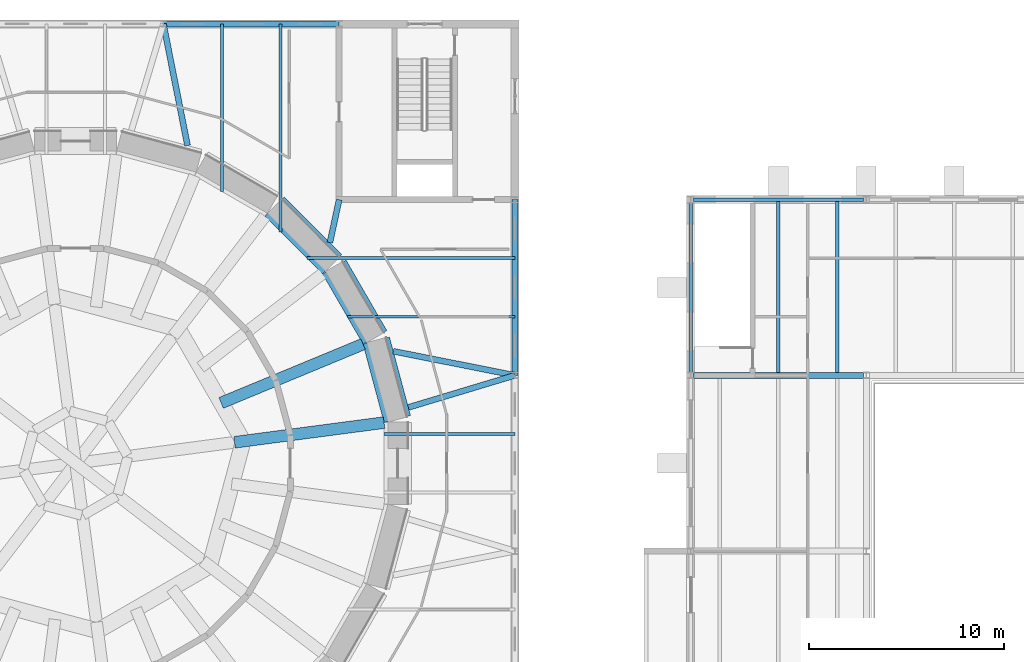
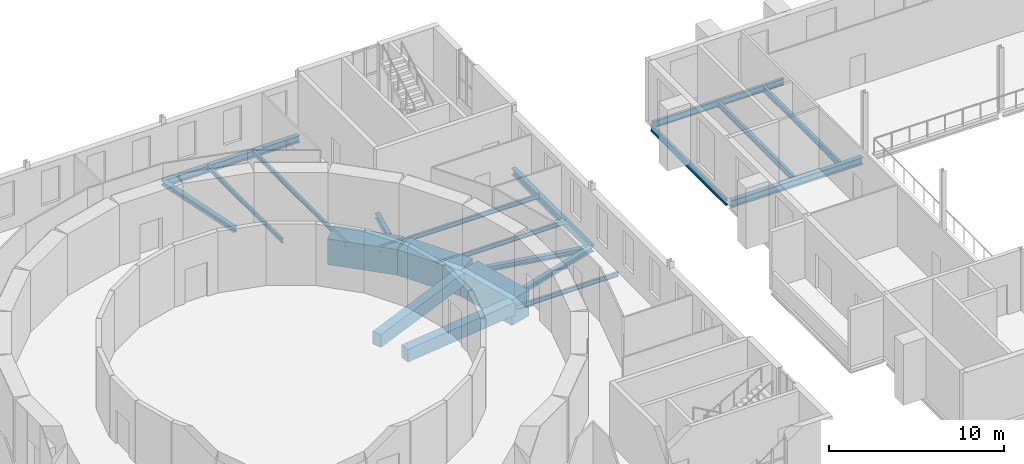
# One storey, part 54 of 131: 21 beams.
"""IFC4 building model written with IfcOpenShell, lengths in metres."""

from ifc_helpers import new_model, si_unit, direction, frame, origin, origin_2d, place, context, subcontext, project, spatial, rectangle, i_section, extrude, material, material_profile, profile_set, type_object, element, save


model = new_model("IFC4")

# Units and contexts
model_context = context("Model", 3, precision=1e-05, world=origin(), true_north=direction((0.0, 1.0)))
body_context = subcontext(model_context, "Body", "Model", "MODEL_VIEW")
ifc_project = project(units=[si_unit("LENGTHUNIT", "METRE"), si_unit("AREAUNIT", "SQUARE_METRE"), si_unit("VOLUMEUNIT", "CUBIC_METRE"), si_unit("PLANEANGLEUNIT", "RADIAN"), si_unit("MASSUNIT", "GRAM", prefix="KILO")], contexts=[model_context])

# Site, building, storey
site_placement = place(None, origin())
site = spatial("IfcSite", under=ifc_project, at=site_placement, CompositionType="ELEMENT")
building_placement = place(site_placement, origin())
building = spatial("IfcBuilding", under=site, at=building_placement, Name="Golden Quay Civic Hall", CompositionType="ELEMENT")
storey_placement = place(building_placement, frame((0.0, 0.0, 9.89990234375)))
storey = spatial("IfcBuildingStorey", under=building, at=storey_placement, Name="L02", CompositionType="ELEMENT", Elevation=9.89990234375)

# Beams
ifc_material_1 = material(Name="Concrete C40/50", Category="concrete")
ifc_material_profile_1 = material_profile(ifc_material_1, rectangle(XDim=0.60009765625, YDim=0.89990234375, at=origin_2d()), Name="RC 600x900")
ifc_profile_set_1 = profile_set([ifc_material_profile_1], Name="Concrete C40/50")
beam_type_1 = type_object("IfcBeamType", Name="Reinforced concrete radial beam 600x900", PredefinedType="BEAM", material=ifc_profile_set_1)
beam_1_placement = place(storey_placement, frame((93.638916015625, 86.571533203125, -0.64990234375), z_axis=(0.991445905484, 0.130518261171, 0.0), x_axis=(-0.130518261171, 0.991445905484, 0.0)))
element("IfcBeam", 1, at=beam_1_placement, inside=storey, type_object=beam_type_1, Name="Chamber floor radial beam 1", PredefinedType="BEAM", context=body_context, shape_type="SweptSolid", body=[
    extrude(rectangle(XDim=0.60009765625, YDim=0.89990234375, at=origin_2d()), origin(), (0.0, 0.0, 1.0), 7.727294921875),
])
beam_2_placement = place(storey_placement, frame((92.954833984375, 88.587890625, -0.64990234375), z_axis=(0.923874616726, 0.382695299905, 0.0), x_axis=(-0.382695299905, 0.923874616726, 0.0)))
element("IfcBeam", 2, at=beam_2_placement, inside=storey, type_object=beam_type_1, Name="Chamber floor radial beam 2", PredefinedType="BEAM", context=body_context, shape_type="SweptSolid", body=[
    extrude(rectangle(XDim=0.60009765625, YDim=0.89990234375, at=origin_2d()), origin(), (0.0, 0.0, 1.0), 7.8671875),
])
ifc_material_2 = material(Name="Concrete C40/50", Category="concrete")
ifc_material_profile_2 = material_profile(ifc_material_2, rectangle(XDim=1.39990234375, YDim=1.800048828125, at=origin_2d()), Name="RC 1400x1800")
ifc_profile_set_2 = profile_set([ifc_material_profile_2], Name="Concrete C40/50")
beam_type_2 = type_object("IfcBeamType", Name="Reinforced concrete ring beam 1400x1800", PredefinedType="BEAM", material=ifc_profile_set_2)
for number, where, z_axis, x_axis, name in (
    (3, (101.97607421875, 87.76123046875, -1.099853515625), (-0.258794750904, 0.965932335573, 0.0), (-0.965932335573, -0.258794750904, 0.0), "Chamber ring beam segment 1"),
    (4, (100.82958984375, 91.948486328125, -1.099853515625), (-0.500020452843, 0.866013595008, 0.0), (-0.866013595008, -0.500020452843, 0.0), "Chamber ring beam segment 2"),
    (5, (98.63818359375, 95.6962890625, -1.099853515625), (-0.707106781187, 0.707106781187, 0.0), (-0.707106781187, -0.707106781187, 0.0), "Chamber ring beam segment 3"),
):
    element("IfcBeam", number, at=place(storey_placement, frame(where, z_axis=z_axis, x_axis=x_axis)), inside=storey, type_object=beam_type_2, Name=name, PredefinedType="BEAM", context=body_context, shape_type="SweptSolid", body=[
        extrude(rectangle(XDim=1.39990234375, YDim=1.800048828125, at=origin_2d()), origin(), (0.0, 0.0, 1.0), 4.160400390625),
    ])
ifc_material_3 = material(Name="Steel S355", Category="steel")
ifc_material_profile_3 = material_profile(ifc_material_3, i_section(OverallWidth=0.18994140625, OverallDepth=0.449951171875, WebThickness=0.009521484375, FlangeThickness=0.0146484375, FilletRadius=0.02099609375, at=origin_2d()), Name="IPE 450")
ifc_profile_set_3 = profile_set([ifc_material_profile_3], Name="Steel S355")
beam_type_3 = type_object("IfcBeamType", Name="Steel edge beam IPE 450", PredefinedType="BEAM", material=ifc_profile_set_3)
beam_3_placement = place(storey_placement, frame((117.14990234375, 99.0, -0.4248046875), z_axis=(1.0, 0.0, 0.0), x_axis=(0.0, 1.0, 0.0)))
element("IfcBeam", 6, at=beam_3_placement, inside=storey, type_object=beam_type_3, Name="L02 edge beam 36-1", PredefinedType="BEAM", context=body_context, shape_type="SweptSolid", body=[
    extrude(i_section(OverallWidth=0.18994140625, OverallDepth=0.449951171875, WebThickness=0.009521484375, FlangeThickness=0.0146484375, FilletRadius=0.02099609375, at=origin_2d()), origin(), (0.0, 0.0, 1.0), 8.7001953125),
])
beam_4_placement = place(storey_placement, frame((117.0, 90.14990234375, -0.4248046875), z_axis=(0.0, 1.0, 0.0), x_axis=(-1.0, 0.0, 0.0)))
element("IfcBeam", 7, at=beam_4_placement, inside=storey, type_object=beam_type_3, Name="L02 edge beam u0-4", PredefinedType="BEAM", context=body_context, shape_type="SweptSolid", body=[
    extrude(i_section(OverallWidth=0.18994140625, OverallDepth=0.449951171875, WebThickness=0.009521484375, FlangeThickness=0.0146484375, FilletRadius=0.02099609375, at=origin_2d()), origin(), (0.0, 0.0, 1.0), 8.670166015625),
])
ifc_material_4 = material(Name="Steel S355", Category="steel")
ifc_material_profile_4 = material_profile(ifc_material_4, i_section(OverallWidth=0.300048828125, OverallDepth=0.330078125, WebThickness=0.009521484375, FlangeThickness=0.0166015625, FilletRadius=0.027099609375, at=origin_2d()), Name="HEA 340")
ifc_profile_set_4 = profile_set([ifc_material_profile_4], Name="Steel S355")
beam_type_4 = type_object("IfcBeamType", Name="Steel girder HEA 340", PredefinedType="BEAM", material=ifc_profile_set_4)
beam_5_placement = place(storey_placement, frame((90.0, 108.0, -0.364990234375), z_axis=(0.194326754683, -0.980936854448, 0.0), x_axis=(0.980936854448, 0.194326754683, 0.0)))
element("IfcBeam", 8, at=beam_5_placement, inside=storey, type_object=beam_type_4, Name="Radial girder 8", PredefinedType="BEAM", context=body_context, shape_type="SweptSolid", body=[
    extrude(i_section(OverallWidth=0.300048828125, OverallDepth=0.330078125, WebThickness=0.009521484375, FlangeThickness=0.0166015625, FilletRadius=0.027099609375, at=origin_2d()), origin(), (0.0, 0.0, 1.0), 6.350830078125),
])
beam_6_placement = place(storey_placement, frame((108.0, 90.0, -0.364990234375), z_axis=(-0.957574849663, -0.288184675673, 0.0), x_axis=(0.288184675673, -0.957574849663, 0.0)))
element("IfcBeam", 9, at=beam_6_placement, inside=storey, type_object=beam_type_4, Name="Radial girder 15", PredefinedType="BEAM", context=body_context, shape_type="SweptSolid", body=[
    extrude(i_section(OverallWidth=0.300048828125, OverallDepth=0.330078125, WebThickness=0.009521484375, FlangeThickness=0.0166015625, FilletRadius=0.027099609375, at=origin_2d()), origin(), (0.0, 0.0, 1.0), 5.70068359375),
])
beam_7_placement = place(storey_placement, frame((108.0, 90.0, -0.364990234375), z_axis=(-0.980936854448, 0.194326754683, 0.0), x_axis=(-0.194326754683, -0.980936854448, 0.0)))
element("IfcBeam", 10, at=beam_7_placement, inside=storey, type_object=beam_type_4, Name="Radial girder 16", PredefinedType="BEAM", context=body_context, shape_type="SweptSolid", body=[
    extrude(i_section(OverallWidth=0.300048828125, OverallDepth=0.330078125, WebThickness=0.009521484375, FlangeThickness=0.0166015625, FilletRadius=0.027099609375, at=origin_2d()), origin(), (0.0, 0.0, 1.0), 6.350830078125),
])
beam_8_placement = place(storey_placement, frame((99.0, 99.0, -0.364990234375), z_axis=(-0.210795207635, -0.977530245281, 0.0), x_axis=(0.977530245281, -0.210795207635, 0.0)))
element("IfcBeam", 11, at=beam_8_placement, inside=storey, type_object=beam_type_4, Name="Radial girder 20", PredefinedType="BEAM", context=body_context, shape_type="SweptSolid", body=[
    extrude(i_section(OverallWidth=0.300048828125, OverallDepth=0.330078125, WebThickness=0.009521484375, FlangeThickness=0.0166015625, FilletRadius=0.027099609375, at=origin_2d()), origin(), (0.0, 0.0, 1.0), 2.25146484375),
])
ifc_material_5 = material(Name="Steel S355", Category="steel")
ifc_material_profile_5 = material_profile(ifc_material_5, i_section(OverallWidth=0.300048828125, OverallDepth=0.489990234375, WebThickness=0.011962890625, FlangeThickness=0.02294921875, FilletRadius=0.027099609375, at=origin_2d()), Name="HEA 500")
ifc_profile_set_5 = profile_set([ifc_material_profile_5], Name="Steel S355")
beam_type_5 = type_object("IfcBeamType", Name="Steel girder HEA 500", PredefinedType="BEAM", material=ifc_profile_set_5)
for number, where, z_axis, x_axis, name in (
    (12, (90.0, 108.0, -0.44482421875), (1.0, 0.0, 0.0), (0.0, 1.0, 0.0), "Perimeter girder 10"),
    (13, (108.0, 90.0, -0.44482421875), (0.0, 1.0, 0.0), (-1.0, 0.0, 0.0), "Perimeter girder 12"),
):
    element("IfcBeam", number, at=place(storey_placement, frame(where, z_axis=z_axis, x_axis=x_axis)), inside=storey, type_object=beam_type_5, Name=name, PredefinedType="BEAM", context=body_context, shape_type="SweptSolid", body=[
        extrude(i_section(OverallWidth=0.300048828125, OverallDepth=0.489990234375, WebThickness=0.011962890625, FlangeThickness=0.02294921875, FilletRadius=0.027099609375, at=origin_2d()), origin(), (0.0, 0.0, 1.0), 9.0),
    ])
ifc_material_6 = material(Name="Steel S355", Category="steel")
ifc_material_profile_6 = material_profile(ifc_material_6, i_section(OverallWidth=0.300048828125, OverallDepth=0.5, WebThickness=0.014404296875, FlangeThickness=0.028076171875, FilletRadius=0.027099609375, at=origin_2d()), Name="HEB 500")
ifc_profile_set_6 = profile_set([ifc_material_profile_6], Name="Steel S355")
beam_type_6 = type_object("IfcBeamType", Name="Steel girder HEB 500", PredefinedType="BEAM", material=ifc_profile_set_6)
beam_9_placement = place(storey_placement, frame((117.14990234375, 90.0, -0.449951171875), z_axis=(1.0, 0.0, 0.0), x_axis=(0.0, 1.0, 0.0)))
element("IfcBeam", 14, at=beam_9_placement, inside=storey, type_object=beam_type_6, Name="L02 girder 27-1", PredefinedType="BEAM", context=body_context, shape_type="SweptSolid", body=[
    extrude(i_section(OverallWidth=0.300048828125, OverallDepth=0.5, WebThickness=0.014404296875, FlangeThickness=0.028076171875, FilletRadius=0.027099609375, at=origin_2d()), origin(), (0.0, 0.0, 1.0), 8.7001953125),
])
ifc_material_7 = material(Name="Steel S355", Category="steel")
ifc_material_profile_7 = material_profile(ifc_material_7, i_section(OverallWidth=0.14990234375, OverallDepth=0.300048828125, WebThickness=0.007080078125, FlangeThickness=0.0107421875, FilletRadius=0.014892578125, at=origin_2d()), Name="IPE 300")
ifc_profile_set_7 = profile_set([ifc_material_profile_7], Name="Steel S355")
beam_type_7 = type_object("IfcBeamType", Name="Steel joist IPE 300", PredefinedType="JOIST", material=ifc_profile_set_7)
beam_10_placement = place(storey_placement, frame((93.0, 108.0, -0.349853515625), z_axis=(0.0, -1.0, 0.0), x_axis=(1.0, 0.0, 0.0)))
element("IfcBeam", 15, at=beam_10_placement, inside=storey, type_object=beam_type_7, Name="Floor joist 11", PredefinedType="JOIST", context=body_context, shape_type="SweptSolid", body=[
    extrude(i_section(OverallWidth=0.14990234375, OverallDepth=0.300048828125, WebThickness=0.007080078125, FlangeThickness=0.0107421875, FilletRadius=0.014892578125, at=origin_2d()), origin(), (0.0, 0.0, 1.0), 8.5859375),
])
beam_11_placement = place(storey_placement, frame((96.0, 108.0, -0.349853515625), z_axis=(0.0, -1.0, 0.0), x_axis=(1.0, 0.0, 0.0)))
element("IfcBeam", 16, at=beam_11_placement, inside=storey, type_object=beam_type_7, Name="Floor joist 12", PredefinedType="JOIST", context=body_context, shape_type="SweptSolid", body=[
    extrude(i_section(OverallWidth=0.14990234375, OverallDepth=0.300048828125, WebThickness=0.007080078125, FlangeThickness=0.0107421875, FilletRadius=0.014892578125, at=origin_2d()), origin(), (0.0, 0.0, 1.0), 10.655517578125),
])
beam_12_placement = place(storey_placement, frame((108.0, 87.0, -0.349853515625), z_axis=(-1.0, 0.0, 0.0), x_axis=(0.0, -1.0, 0.0)))
element("IfcBeam", 17, at=beam_12_placement, inside=storey, type_object=beam_type_7, Name="Floor joist 22", PredefinedType="JOIST", context=body_context, shape_type="SweptSolid", body=[
    extrude(i_section(OverallWidth=0.14990234375, OverallDepth=0.300048828125, WebThickness=0.007080078125, FlangeThickness=0.0107421875, FilletRadius=0.014892578125, at=origin_2d()), origin(), (0.0, 0.0, 1.0), 6.699951171875),
])
beam_13_placement = place(storey_placement, frame((108.0, 93.0, -0.349853515625), z_axis=(-1.0, 0.0, 0.0), x_axis=(0.0, -1.0, 0.0)))
element("IfcBeam", 18, at=beam_13_placement, inside=storey, type_object=beam_type_7, Name="Floor joist 23", PredefinedType="JOIST", context=body_context, shape_type="SweptSolid", body=[
    extrude(i_section(OverallWidth=0.14990234375, OverallDepth=0.300048828125, WebThickness=0.007080078125, FlangeThickness=0.0107421875, FilletRadius=0.014892578125, at=origin_2d()), origin(), (0.0, 0.0, 1.0), 8.5859375),
])
beam_14_placement = place(storey_placement, frame((108.0, 96.0, -0.349853515625), z_axis=(-1.0, 0.0, 0.0), x_axis=(0.0, -1.0, 0.0)))
element("IfcBeam", 19, at=beam_14_placement, inside=storey, type_object=beam_type_7, Name="Floor joist 24", PredefinedType="JOIST", context=body_context, shape_type="SweptSolid", body=[
    extrude(i_section(OverallWidth=0.14990234375, OverallDepth=0.300048828125, WebThickness=0.007080078125, FlangeThickness=0.0107421875, FilletRadius=0.014892578125, at=origin_2d()), origin(), (0.0, 0.0, 1.0), 10.655517578125),
])
ifc_material_8 = material(Name="Steel S355", Category="steel")
ifc_material_profile_8 = material_profile(ifc_material_8, i_section(OverallWidth=0.179931640625, OverallDepth=0.39990234375, WebThickness=0.008544921875, FlangeThickness=0.013427734375, FilletRadius=0.02099609375, at=origin_2d()), Name="IPE 400")
ifc_profile_set_8 = profile_set([ifc_material_profile_8], Name="Steel S355")
beam_type_8 = type_object("IfcBeamType", Name="Steel joist IPE 400", PredefinedType="JOIST", material=ifc_profile_set_8)
for number, where, z_axis, x_axis, name in (
    (20, (121.5, 90.14990234375, -0.39990234375), (0.0, 1.0, 0.0), (-1.0, 0.0, 0.0), "L02 joist 1.4.2"),
    (21, (124.5, 90.14990234375, -0.39990234375), (0.0, 1.0, 0.0), (-1.0, 0.0, 0.0), "L02 joist 1.4.3"),
):
    element("IfcBeam", number, at=place(storey_placement, frame(where, z_axis=z_axis, x_axis=x_axis)), inside=storey, type_object=beam_type_8, Name=name, PredefinedType="JOIST", context=body_context, shape_type="SweptSolid", body=[
        extrude(i_section(OverallWidth=0.179931640625, OverallDepth=0.39990234375, WebThickness=0.008544921875, FlangeThickness=0.013427734375, FilletRadius=0.02099609375, at=origin_2d()), origin(), (0.0, 0.0, 1.0), 8.755126953125),
    ])

save(model, "model.ifc")
